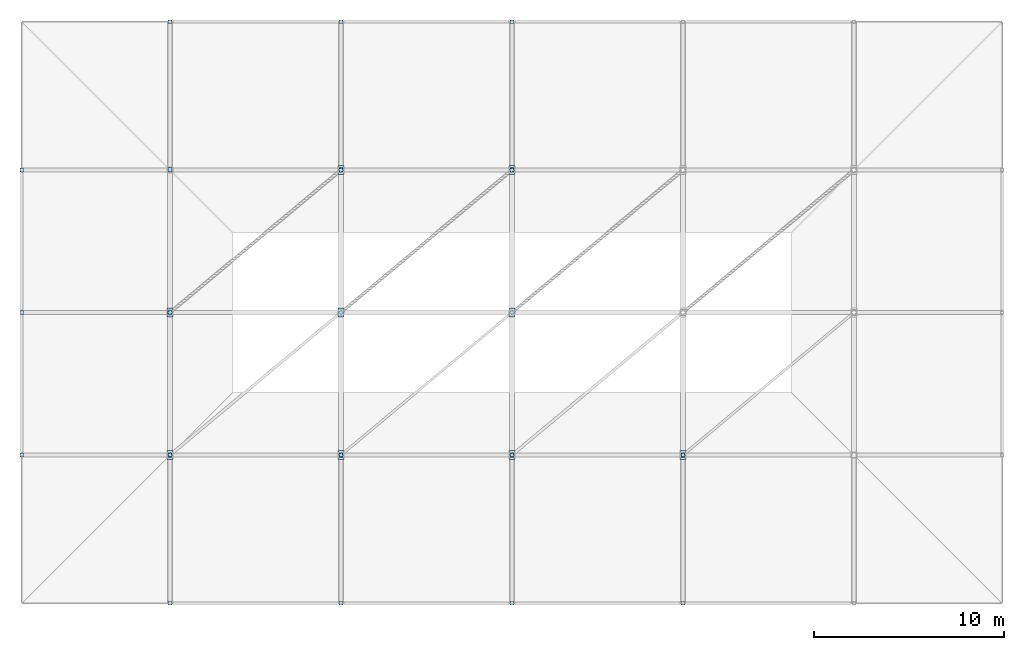
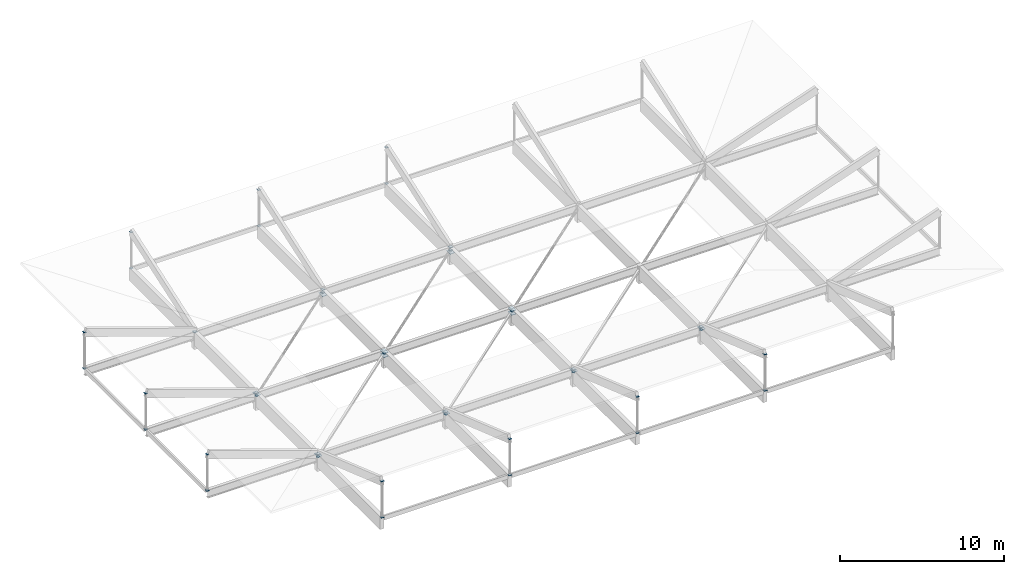
# One storey, part 18 of 19: 48 plates.
"""IFC4 building model written with IfcOpenShell, lengths in metres."""

from ifc_helpers import new_model, si_unit, direction, frame, origin, origin_2d, place, context, subcontext, project, spatial, rectangle, extrude, material, layer, layer_set, type_object, element, save


model = new_model("IFC4")

# Units and contexts
model_context = context("Model", 3, precision=1e-05, world=origin(), true_north=direction((0.0, 1.0)))
body_context = subcontext(model_context, "Body", "Model", "MODEL_VIEW")
ifc_project = project(units=[si_unit("LENGTHUNIT", "METRE"), si_unit("AREAUNIT", "SQUARE_METRE"), si_unit("VOLUMEUNIT", "CUBIC_METRE"), si_unit("PLANEANGLEUNIT", "RADIAN"), si_unit("MASSUNIT", "GRAM", prefix="KILO")], contexts=[model_context])

# Site, building, storey
site_placement = place(None, origin())
site = spatial("IfcSite", under=ifc_project, at=site_placement, CompositionType="ELEMENT")
building_placement = place(site_placement, origin())
building = spatial("IfcBuilding", under=site, at=building_placement, Name="Marnridge Secondary College", CompositionType="ELEMENT")
storey_placement = place(building_placement, frame((0.0, 0.0, 23.699951171875)))
storey = spatial("IfcBuildingStorey", under=building, at=storey_placement, Name="Roof Level", CompositionType="ELEMENT", Elevation=23.699951171875)

# Plates
ifc_material_1 = material(Name="Structural steel plate Grade 350 (AS/NZS 3678, fy = 350 MPa <=12mm, 340 MPa 12-20mm, 330 MPa 20-50mm)", Category="steel")
ifc_layer_1 = layer(ifc_material_1, 0.011962890625)
ifc_layer_set_1 = layer_set([ifc_layer_1], Name="PT-CAP-EXT")
plate_type_1 = type_object("IfcPlateType", Name="PT-CAP-EXT", PredefinedType="SHEET", material=ifc_layer_set_1)
for number, where, z_axis, x_axis, name in (
    (1, (54.0, 44.699951171875, 1.21630859375), (0.0, 0.0, 1.0), (1.0, 0.0, 0.0), "Tube end cap MCAN-001-EC1"),
    (2, (54.0, 44.699951171875, 3.9169921875), (0.0, 0.0, 1.0), (1.0, 0.0, 0.0), "Tube end cap MCAN-001-EC2"),
):
    element("IfcPlate", number, at=place(storey_placement, frame(where, z_axis=z_axis, x_axis=x_axis)), inside=storey, type_object=plate_type_1, Name=name, PredefinedType="SHEET", context=body_context, shape_type="SweptSolid", body=[
        extrude(rectangle(XDim=0.18798828125, YDim=0.18798828125, at=origin_2d()), origin(), (0.0, 0.0, 1.0), 0.011962890625),
    ])
plate_1_placement = place(storey_placement, frame((54.0, 52.498046875, 1.21484375), z_axis=(0.0, 0.0, 1.0), x_axis=(0.0, -1.0, 0.0)))
element("IfcPlate", 3, at=plate_1_placement, inside=storey, type_object=plate_type_1, Name="Tube end cap MCR-001-EC1", PredefinedType="SHEET", context=body_context, shape_type="SweptSolid", body=[
    extrude(rectangle(XDim=0.235107421875, YDim=0.235107421875, at=origin_2d()), origin(), (0.0, 0.0, 1.0), 0.011962890625),
])
for number, where, z_axis, x_axis, name in (
    (4, (54.0, 75.300048828125, 1.21630859375), (0.0, 0.0, 1.0), (1.0, 0.0, 0.0), "Tube end cap MCAN-002-EC1"),
    (5, (54.0, 75.300048828125, 3.9169921875), (0.0, 0.0, 1.0), (1.0, 0.0, 0.0), "Tube end cap MCAN-002-EC2"),
):
    element("IfcPlate", number, at=place(storey_placement, frame(where, z_axis=z_axis, x_axis=x_axis)), inside=storey, type_object=plate_type_1, Name=name, PredefinedType="SHEET", context=body_context, shape_type="SweptSolid", body=[
        extrude(rectangle(XDim=0.18798828125, YDim=0.18798828125, at=origin_2d()), origin(), (0.0, 0.0, 1.0), 0.011962890625),
    ])
plate_2_placement = place(storey_placement, frame((54.0, 67.501953125, 1.21484375), z_axis=(0.0, 0.0, 1.0), x_axis=(0.0, 1.0, 0.0)))
element("IfcPlate", 6, at=plate_2_placement, inside=storey, type_object=plate_type_1, Name="Tube end cap MCR-002-EC1", PredefinedType="SHEET", context=body_context, shape_type="SweptSolid", body=[
    extrude(rectangle(XDim=0.235107421875, YDim=0.235107421875, at=origin_2d()), origin(), (0.0, 0.0, 1.0), 0.011962890625),
])
for number, where, z_axis, x_axis, name in (
    (7, (63.0, 44.699951171875, 1.21630859375), (0.0, 0.0, 1.0), (1.0, 0.0, 0.0), "Tube end cap MCAN-003-EC1"),
    (8, (63.0, 44.699951171875, 3.9169921875), (0.0, 0.0, 1.0), (1.0, 0.0, 0.0), "Tube end cap MCAN-003-EC2"),
):
    element("IfcPlate", number, at=place(storey_placement, frame(where, z_axis=z_axis, x_axis=x_axis)), inside=storey, type_object=plate_type_1, Name=name, PredefinedType="SHEET", context=body_context, shape_type="SweptSolid", body=[
        extrude(rectangle(XDim=0.18798828125, YDim=0.18798828125, at=origin_2d()), origin(), (0.0, 0.0, 1.0), 0.011962890625),
    ])
plate_3_placement = place(storey_placement, frame((63.0, 52.498046875, 1.21484375), z_axis=(0.0, 0.0, 1.0), x_axis=(0.0, -1.0, 0.0)))
element("IfcPlate", 9, at=plate_3_placement, inside=storey, type_object=plate_type_1, Name="Tube end cap MCR-003-EC1", PredefinedType="SHEET", context=body_context, shape_type="SweptSolid", body=[
    extrude(rectangle(XDim=0.235107421875, YDim=0.235107421875, at=origin_2d()), origin(), (0.0, 0.0, 1.0), 0.011962890625),
])
for number, where, z_axis, x_axis, name in (
    (10, (63.0, 75.300048828125, 1.21630859375), (0.0, 0.0, 1.0), (1.0, 0.0, 0.0), "Tube end cap MCAN-004-EC1"),
    (11, (63.0, 75.300048828125, 3.9169921875), (0.0, 0.0, 1.0), (1.0, 0.0, 0.0), "Tube end cap MCAN-004-EC2"),
):
    element("IfcPlate", number, at=place(storey_placement, frame(where, z_axis=z_axis, x_axis=x_axis)), inside=storey, type_object=plate_type_1, Name=name, PredefinedType="SHEET", context=body_context, shape_type="SweptSolid", body=[
        extrude(rectangle(XDim=0.18798828125, YDim=0.18798828125, at=origin_2d()), origin(), (0.0, 0.0, 1.0), 0.011962890625),
    ])
plate_4_placement = place(storey_placement, frame((63.0, 67.501953125, 1.21484375), z_axis=(0.0, 0.0, 1.0), x_axis=(0.0, 1.0, 0.0)))
element("IfcPlate", 12, at=plate_4_placement, inside=storey, type_object=plate_type_1, Name="Tube end cap MCR-004-EC1", PredefinedType="SHEET", context=body_context, shape_type="SweptSolid", body=[
    extrude(rectangle(XDim=0.235107421875, YDim=0.235107421875, at=origin_2d()), origin(), (0.0, 0.0, 1.0), 0.011962890625),
])
for number, where, z_axis, x_axis, name in (
    (13, (72.0, 44.699951171875, 1.21630859375), (0.0, 0.0, 1.0), (1.0, 0.0, 0.0), "Tube end cap MCAN-005-EC1"),
    (14, (72.0, 44.699951171875, 3.9169921875), (0.0, 0.0, 1.0), (1.0, 0.0, 0.0), "Tube end cap MCAN-005-EC2"),
):
    element("IfcPlate", number, at=place(storey_placement, frame(where, z_axis=z_axis, x_axis=x_axis)), inside=storey, type_object=plate_type_1, Name=name, PredefinedType="SHEET", context=body_context, shape_type="SweptSolid", body=[
        extrude(rectangle(XDim=0.18798828125, YDim=0.18798828125, at=origin_2d()), origin(), (0.0, 0.0, 1.0), 0.011962890625),
    ])
plate_5_placement = place(storey_placement, frame((72.0, 52.498046875, 1.21484375), z_axis=(0.0, 0.0, 1.0), x_axis=(0.0, -1.0, 0.0)))
element("IfcPlate", 15, at=plate_5_placement, inside=storey, type_object=plate_type_1, Name="Tube end cap MCR-005-EC1", PredefinedType="SHEET", context=body_context, shape_type="SweptSolid", body=[
    extrude(rectangle(XDim=0.235107421875, YDim=0.235107421875, at=origin_2d()), origin(), (0.0, 0.0, 1.0), 0.011962890625),
])
for number, where, z_axis, x_axis, name in (
    (16, (72.0, 75.300048828125, 1.21630859375), (0.0, 0.0, 1.0), (1.0, 0.0, 0.0), "Tube end cap MCAN-006-EC1"),
    (17, (72.0, 75.300048828125, 3.9169921875), (0.0, 0.0, 1.0), (1.0, 0.0, 0.0), "Tube end cap MCAN-006-EC2"),
):
    element("IfcPlate", number, at=place(storey_placement, frame(where, z_axis=z_axis, x_axis=x_axis)), inside=storey, type_object=plate_type_1, Name=name, PredefinedType="SHEET", context=body_context, shape_type="SweptSolid", body=[
        extrude(rectangle(XDim=0.18798828125, YDim=0.18798828125, at=origin_2d()), origin(), (0.0, 0.0, 1.0), 0.011962890625),
    ])
plate_6_placement = place(storey_placement, frame((72.0, 67.501953125, 1.21484375), z_axis=(0.0, 0.0, 1.0), x_axis=(0.0, 1.0, 0.0)))
element("IfcPlate", 18, at=plate_6_placement, inside=storey, type_object=plate_type_1, Name="Tube end cap MCR-006-EC1", PredefinedType="SHEET", context=body_context, shape_type="SweptSolid", body=[
    extrude(rectangle(XDim=0.235107421875, YDim=0.235107421875, at=origin_2d()), origin(), (0.0, 0.0, 1.0), 0.011962890625),
])
for number, where, z_axis, x_axis, name in (
    (19, (81.0, 44.699951171875, 1.21630859375), (0.0, 0.0, 1.0), (1.0, 0.0, 0.0), "Tube end cap MCAN-007-EC1"),
    (20, (81.0, 44.699951171875, 3.9169921875), (0.0, 0.0, 1.0), (1.0, 0.0, 0.0), "Tube end cap MCAN-007-EC2"),
):
    element("IfcPlate", number, at=place(storey_placement, frame(where, z_axis=z_axis, x_axis=x_axis)), inside=storey, type_object=plate_type_1, Name=name, PredefinedType="SHEET", context=body_context, shape_type="SweptSolid", body=[
        extrude(rectangle(XDim=0.18798828125, YDim=0.18798828125, at=origin_2d()), origin(), (0.0, 0.0, 1.0), 0.011962890625),
    ])
plate_7_placement = place(storey_placement, frame((81.0, 52.498046875, 1.21484375), z_axis=(0.0, 0.0, 1.0), x_axis=(0.0, -1.0, 0.0)))
element("IfcPlate", 21, at=plate_7_placement, inside=storey, type_object=plate_type_1, Name="Tube end cap MCR-007-EC1", PredefinedType="SHEET", context=body_context, shape_type="SweptSolid", body=[
    extrude(rectangle(XDim=0.235107421875, YDim=0.235107421875, at=origin_2d()), origin(), (0.0, 0.0, 1.0), 0.011962890625),
])
for number, where, z_axis, x_axis, name in (
    (22, (46.199951171875, 52.5, 1.21630859375), (0.0, 0.0, 1.0), (1.0, 0.0, 0.0), "Tube end cap MCAN-011-EC1"),
    (23, (46.199951171875, 52.5, 3.9169921875), (0.0, 0.0, 1.0), (1.0, 0.0, 0.0), "Tube end cap MCAN-011-EC2"),
    (24, (46.199951171875, 60.0, 1.21630859375), (0.0, 0.0, 1.0), (1.0, 0.0, 0.0), "Tube end cap MCAN-013-EC1"),
    (25, (46.199951171875, 60.0, 3.9169921875), (0.0, 0.0, 1.0), (1.0, 0.0, 0.0), "Tube end cap MCAN-013-EC2"),
):
    element("IfcPlate", number, at=place(storey_placement, frame(where, z_axis=z_axis, x_axis=x_axis)), inside=storey, type_object=plate_type_1, Name=name, PredefinedType="SHEET", context=body_context, shape_type="SweptSolid", body=[
        extrude(rectangle(XDim=0.18798828125, YDim=0.18798828125, at=origin_2d()), origin(), (0.0, 0.0, 1.0), 0.011962890625),
    ])
plate_8_placement = place(storey_placement, frame((53.998046875, 60.0, 1.21484375), z_axis=(0.0, 0.0, 1.0), x_axis=(-1.0, 0.0, 0.0)))
element("IfcPlate", 26, at=plate_8_placement, inside=storey, type_object=plate_type_1, Name="Tube end cap MCR-013-EC1", PredefinedType="SHEET", context=body_context, shape_type="SweptSolid", body=[
    extrude(rectangle(XDim=0.235107421875, YDim=0.235107421875, at=origin_2d()), origin(), (0.0, 0.0, 1.0), 0.011962890625),
])
for number, where, z_axis, x_axis, name in (
    (27, (46.199951171875, 67.5, 1.21630859375), (0.0, 0.0, 1.0), (1.0, 0.0, 0.0), "Tube end cap MCAN-015-EC1"),
    (28, (46.199951171875, 67.5, 3.9169921875), (0.0, 0.0, 1.0), (1.0, 0.0, 0.0), "Tube end cap MCAN-015-EC2"),
):
    element("IfcPlate", number, at=place(storey_placement, frame(where, z_axis=z_axis, x_axis=x_axis)), inside=storey, type_object=plate_type_1, Name=name, PredefinedType="SHEET", context=body_context, shape_type="SweptSolid", body=[
        extrude(rectangle(XDim=0.18798828125, YDim=0.18798828125, at=origin_2d()), origin(), (0.0, 0.0, 1.0), 0.011962890625),
    ])
for number, where, z_axis, x_axis, name in (
    (29, (54.00146484375, 52.501220703125, 0.994140625), (0.0, 0.0, 1.0), (0.768171791674, 0.640243780506, 0.0), "Tube end cap BR-011-EC1"),
    (30, (62.99853515625, 59.998779296875, 0.994140625), (0.0, 0.0, 1.0), (0.768171791674, 0.640243780506, 0.0), "Tube end cap BR-011-EC2"),
    (31, (63.00146484375, 52.501220703125, 0.994140625), (0.0, 0.0, 1.0), (0.768171791674, 0.640243780506, 0.0), "Tube end cap BR-012-EC1"),
    (32, (71.99853515625, 59.998779296875, 0.994140625), (0.0, 0.0, 1.0), (0.768171791674, 0.640243780506, 0.0), "Tube end cap BR-012-EC2"),
    (33, (72.00146484375, 52.501220703125, 0.994140625), (0.0, 0.0, 1.0), (0.768171791674, 0.640243780506, 0.0), "Tube end cap BR-013-EC1"),
    (34, (81.00146484375, 52.501220703125, 0.994140625), (0.0, 0.0, 1.0), (0.768171791674, 0.640243780506, 0.0), "Tube end cap BR-014-EC1"),
):
    element("IfcPlate", number, at=place(storey_placement, frame(where, z_axis=z_axis, x_axis=x_axis)), inside=storey, type_object=plate_type_1, Name=name, PredefinedType="SHEET", context=body_context, shape_type="SweptSolid", body=[
        extrude(rectangle(XDim=0.179931640625, YDim=0.179931640625, at=origin_2d()), origin(), (0.0, 0.0, 1.0), 0.011962890625),
    ])
for number, where, z_axis, x_axis, name in (
    (35, (54.00146484375, 60.001220703125, 0.994140625), (0.0, 0.0, 1.0), (0.768171791674, 0.640243780506, 0.0), "Tube end cap BR-015-EC1"),
    (36, (62.99853515625, 67.498779296875, 0.994140625), (0.0, 0.0, 1.0), (0.768171791674, 0.640243780506, 0.0), "Tube end cap BR-015-EC2"),
    (37, (71.99853515625, 67.498779296875, 0.994140625), (0.0, 0.0, 1.0), (0.768171791674, 0.640243780506, 0.0), "Tube end cap BR-016-EC2"),
):
    element("IfcPlate", number, at=place(storey_placement, frame(where, z_axis=z_axis, x_axis=x_axis)), inside=storey, type_object=plate_type_1, Name=name, PredefinedType="SHEET", context=body_context, shape_type="SweptSolid", body=[
        extrude(rectangle(XDim=0.18798828125, YDim=0.18798828125, at=origin_2d()), origin(), (0.0, 0.0, 1.0), 0.011962890625),
    ])
ifc_material_2 = material(Name="Structural steel plate Grade 350 (AS/NZS 3678, fy = 350 MPa <=12mm, 340 MPa 12-20mm, 330 MPa 20-50mm)", Category="steel")
ifc_layer_2 = layer(ifc_material_2, 0.02392578125)
ifc_layer_set_2 = layer_set([ifc_layer_2], Name="PT-GUS-GSN2")
plate_type_2 = type_object("IfcPlateType", Name="PT-GUS-GSN2", PredefinedType="USERDEFINED", material=ifc_layer_set_2)
for number, where, z_axis, x_axis, name in (
    (38, (54.0, 52.5, 1.128173828125), (0.0, 0.0, 1.0), (0.0, 1.0, 0.0), "Braced-frame gusset plate GP-071"),
    (39, (63.0, 60.0, 0.84814453125), (0.0, 0.0, 1.0), (0.0, 1.0, 0.0), "Braced-frame gusset plate GP-072"),
    (40, (63.0, 52.5, 1.128173828125), (0.0, 0.0, 1.0), (0.0, 1.0, 0.0), "Braced-frame gusset plate GP-073"),
    (41, (72.0, 60.0, 0.84814453125), (0.0, 0.0, 1.0), (0.0, 1.0, 0.0), "Braced-frame gusset plate GP-074"),
    (42, (72.0, 52.5, 1.128173828125), (0.0, 0.0, 1.0), (0.0, 1.0, 0.0), "Braced-frame gusset plate GP-075"),
    (43, (81.0, 52.5, 1.128173828125), (0.0, 0.0, 1.0), (0.0, 1.0, 0.0), "Braced-frame gusset plate GP-077"),
    (44, (54.0, 60.0, 1.128173828125), (0.0, 0.0, 1.0), (0.0, 1.0, 0.0), "Braced-frame gusset plate GP-079"),
    (45, (63.0, 67.5, 0.84814453125), (0.0, 0.0, 1.0), (0.0, 1.0, 0.0), "Braced-frame gusset plate GP-080"),
    (46, (63.0, 60.0, 1.128173828125), (0.0, 0.0, 1.0), (0.0, 1.0, 0.0), "Braced-frame gusset plate GP-081"),
    (47, (72.0, 67.5, 0.84814453125), (0.0, 0.0, 1.0), (0.0, 1.0, 0.0), "Braced-frame gusset plate GP-082"),
    (48, (72.0, 60.0, 1.128173828125), (0.0, 0.0, 1.0), (0.0, 1.0, 0.0), "Braced-frame gusset plate GP-083"),
):
    element("IfcPlate", number, at=place(storey_placement, frame(where, z_axis=z_axis, x_axis=x_axis)), inside=storey, type_object=plate_type_2, Name=name, ObjectType="GUSSET PLATE", PredefinedType="USERDEFINED", context=body_context, shape_type="SweptSolid", body=[
        extrude(rectangle(XDim=0.47998046875, YDim=0.320068359375, at=origin_2d()), origin(), (0.0, 0.0, 1.0), 0.02392578125),
    ])

save(model, "model.ifc")
